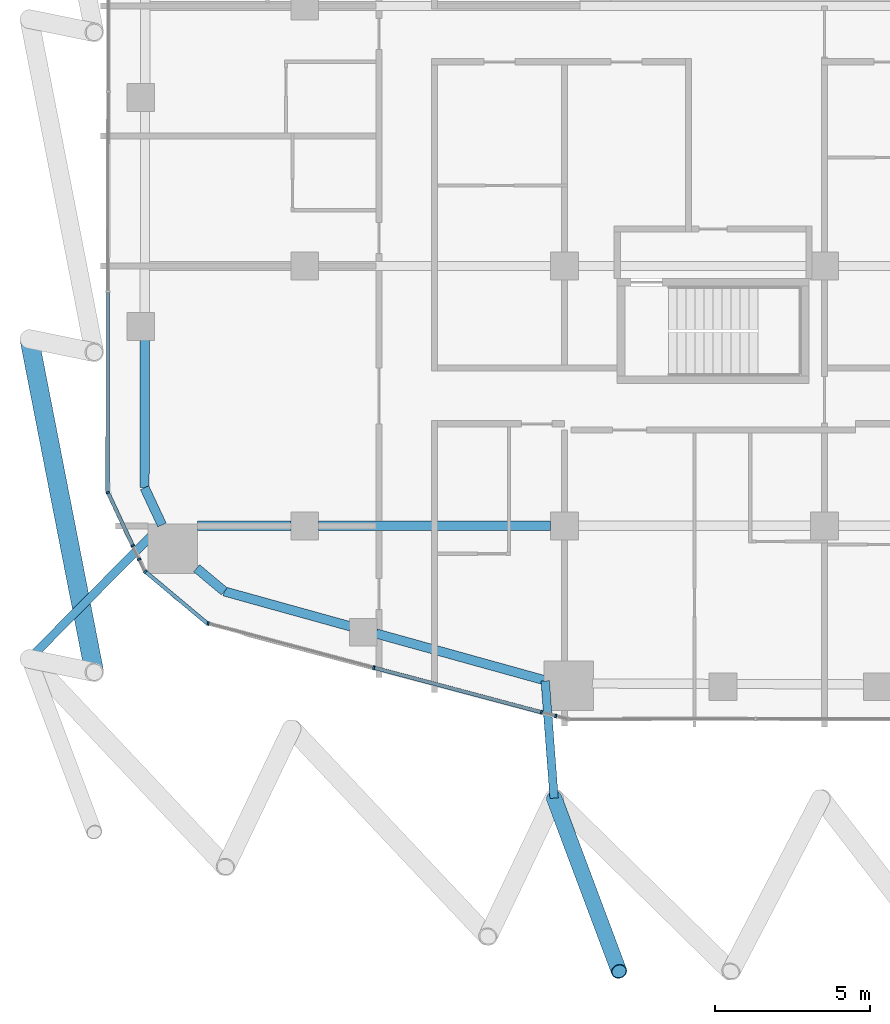
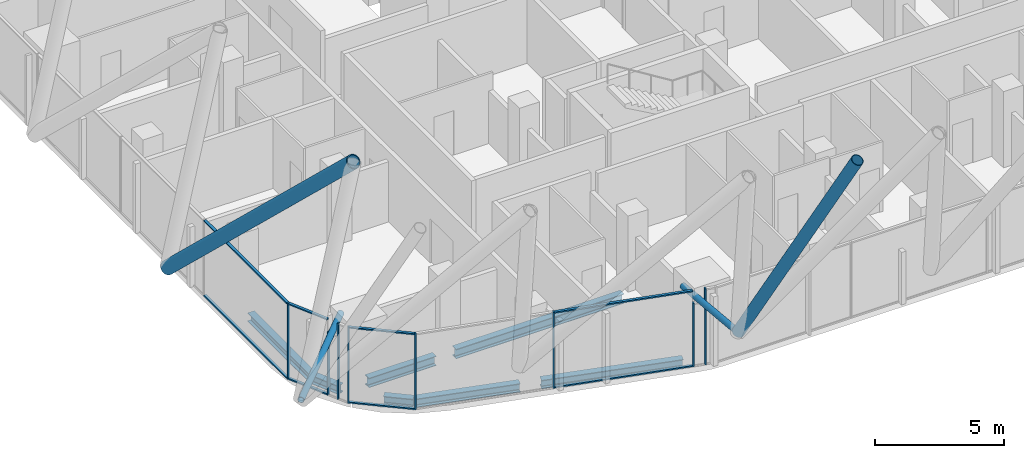
# One storey, part 2 of 34: 20 members, 7 beams, 8 elements without a shape of their own.
"""IFC4 building model written with IfcOpenShell, lengths in metres."""

from ifc_helpers import new_model, si_unit, direction, frame, origin, origin_2d, place, context, subcontext, project, spatial, rectangle, hollow_circle, i_section, extrude, material, layer, layer_set, material_profile, profile_set, type_object, element, aggregate, save


model = new_model("IFC4")

# Units and contexts
model_context = context("Model", 3, precision=1e-05, world=origin(), true_north=direction((0.0, 1.0)))
body_context = subcontext(model_context, "Body", "Model", "MODEL_VIEW")
ifc_project = project(units=[si_unit("LENGTHUNIT", "METRE"), si_unit("AREAUNIT", "SQUARE_METRE"), si_unit("VOLUMEUNIT", "CUBIC_METRE"), si_unit("PLANEANGLEUNIT", "RADIAN"), si_unit("MASSUNIT", "GRAM", prefix="KILO")], contexts=[model_context])

# Site, building, storey
site_placement = place(None, origin())
site = spatial("IfcSite", under=ifc_project, at=site_placement, CompositionType="ELEMENT")
building_placement = place(site_placement, origin())
building = spatial("IfcBuilding", under=site, at=building_placement, Name="Marenta Gate Hotel Tower", CompositionType="ELEMENT")
storey_placement = place(building_placement, frame((0.0, 0.0, 166.10009765625)))
storey = spatial("IfcBuildingStorey", under=building, at=storey_placement, Name="L39", CompositionType="ELEMENT", Elevation=166.10009765625)

# Members
ifc_material_1 = material(Name="Steel S355J2W", Category="steel")
ifc_material_profile_1 = material_profile(ifc_material_1, hollow_circle(Radius=0.25390625, WallThickness=0.02490234375, at=origin_2d()), Name="CHS 508x25")
ifc_profile_set_1 = profile_set([ifc_material_profile_1], Name="Steel S355J2W")
member_type_1 = type_object("IfcMemberType", Name="Diagrid corner post Z2 CHS 508x25", PredefinedType="POST", material=ifc_profile_set_1)
member_1_placement = place(storey_placement, frame((-12.93896484375, -25.60009765625, 3.139892578125), z_axis=(0.170092035922, -0.453598538302, 0.874824019656), x_axis=(0.936334210322, 0.351110020621, 0.0)))
element("IfcMember", 1, at=member_1_placement, inside=storey, type_object=member_type_1, Name="L39-DR-4", PredefinedType="POST", context=body_context, shape_type="SweptSolid", body=[
    extrude(hollow_circle(Radius=0.25390625, WallThickness=0.02490234375, at=origin_2d()), origin(), (0.0, 0.0, 1.0), 12.345458984375),
])
ifc_material_2 = material(Name="Steel S355J2W", Category="steel")
ifc_material_profile_2 = material_profile(ifc_material_2, hollow_circle(Radius=0.304931640625, WallThickness=0.0400390625, at=origin_2d()), Name="CHS 610x40")
ifc_profile_set_2 = profile_set([ifc_material_profile_2], Name="Steel S355J2W")
member_type_2 = type_object("IfcMemberType", Name="Diagrid diagonal T2 CHS 610x40", PredefinedType="BRACE", material=ifc_profile_set_2)
member_2_placement = place(storey_placement, frame((-29.89990234375, -10.760009765625, 3.139892578125), z_axis=(0.136387552473, -0.699523368187, 0.701473800573), x_axis=(0.981518224839, 0.191368686853, 0.0)))
element("IfcMember", 2, at=member_2_placement, inside=storey, type_object=member_type_2, Name="L39-DG-26", PredefinedType="BRACE", context=body_context, shape_type="SweptSolid", body=[
    extrude(hollow_circle(Radius=0.304931640625, WallThickness=0.0400390625, at=origin_2d()), origin(), (0.0, 0.0, 1.0), 15.396240234375),
])

# Beams
ifc_material_3 = material(Name="Steel S355", Category="steel")
ifc_material_profile_3 = material_profile(ifc_material_3, i_section(OverallWidth=0.300048828125, OverallDepth=0.39990234375, WebThickness=0.013427734375, FlangeThickness=0.02392578125, FilletRadius=0.027099609375, at=origin_2d()), Name="HEB 400")
ifc_profile_set_3 = profile_set([ifc_material_profile_3], Name="Steel S355")
beam_type_1 = type_object("IfcBeamType", Name="Edge beam HEB 400", PredefinedType="SPANDREL", material=ifc_profile_set_3)
beam_1_placement = place(storey_placement, frame((-13.227783203125, -21.794677734375, -0.460205078125), z_axis=(-0.963615860477, 0.267290990189, 0.0), x_axis=(-0.267290990189, -0.963615860477, 0.0)))
element("IfcBeam", 3, at=beam_1_placement, inside=storey, type_object=beam_type_1, Name="L39-EB-1", PredefinedType="SPANDREL", context=body_context, shape_type="SweptSolid", body=[
    extrude(i_section(OverallWidth=0.300048828125, OverallDepth=0.39990234375, WebThickness=0.013427734375, FlangeThickness=0.02392578125, FilletRadius=0.027099609375, at=origin_2d()), origin(), (0.0, 0.0, 1.0), 5.674072265625),
])
beam_2_placement = place(storey_placement, frame((-19.518310546875, -20.0498046875, -0.460205078125), z_axis=(-0.963630213062, 0.267239242016, 0.0), x_axis=(-0.267239242016, -0.963630213062, 0.0)))
element("IfcBeam", 4, at=beam_2_placement, inside=storey, type_object=beam_type_1, Name="L39-EB-2", PredefinedType="SPANDREL", context=body_context, shape_type="SweptSolid", body=[
    extrude(i_section(OverallWidth=0.300048828125, OverallDepth=0.39990234375, WebThickness=0.013427734375, FlangeThickness=0.02392578125, FilletRadius=0.027099609375, at=origin_2d()), origin(), (0.0, 0.0, 1.0), 4.232666015625),
])
beam_3_placement = place(storey_placement, frame((-23.596923828125, -18.918701171875, -0.460205078125), z_axis=(-0.767073132856, 0.641559668972, 0.0), x_axis=(-0.641559668972, -0.767073132856, 0.0)))
element("IfcBeam", 5, at=beam_3_placement, inside=storey, type_object=beam_type_1, Name="L39-EB-3", PredefinedType="SPANDREL", context=body_context, shape_type="SweptSolid", body=[
    extrude(i_section(OverallWidth=0.300048828125, OverallDepth=0.39990234375, WebThickness=0.013427734375, FlangeThickness=0.02392578125, FilletRadius=0.027099609375, at=origin_2d()), origin(), (0.0, 0.0, 1.0), 1.1689453125),
])
beam_4_placement = place(storey_placement, frame((-25.613525390625, -16.769287109375, -0.460205078125), z_axis=(-0.423207780269, 0.906032656541, 0.0), x_axis=(-0.906032656541, -0.423207780269, 0.0)))
element("IfcBeam", 6, at=beam_4_placement, inside=storey, type_object=beam_type_1, Name="L39-EB-4", PredefinedType="SPANDREL", context=body_context, shape_type="SweptSolid", body=[
    extrude(i_section(OverallWidth=0.300048828125, OverallDepth=0.39990234375, WebThickness=0.013427734375, FlangeThickness=0.02392578125, FilletRadius=0.027099609375, at=origin_2d()), origin(), (0.0, 0.0, 1.0), 1.326904296875),
])
beam_5_placement = place(storey_placement, frame((-26.175048828125, -15.567138671875, -0.460205078125), z_axis=(0.001371810517, 0.999999059068, 0.0), x_axis=(-0.999999059068, 0.001371810517, 0.0)))
element("IfcBeam", 7, at=beam_5_placement, inside=storey, type_object=beam_type_1, Name="L39-EB-5", PredefinedType="SPANDREL", context=body_context, shape_type="SweptSolid", body=[
    extrude(i_section(OverallWidth=0.300048828125, OverallDepth=0.39990234375, WebThickness=0.013427734375, FlangeThickness=0.02392578125, FilletRadius=0.027099609375, at=origin_2d()), origin(), (0.0, 0.0, 1.0), 4.80517578125),
])

# Members
ifc_material_4 = material(Name="Steel S355J2W", Category="steel")
ifc_material_profile_4 = material_profile(ifc_material_4, hollow_circle(Radius=0.136474609375, WallThickness=0.012451171875, at=origin_2d()), Name="CHS 273x12.5")
ifc_profile_set_4 = profile_set([ifc_material_profile_4], Name="Steel S355J2W")
member_type_3 = type_object("IfcMemberType", Name="Floor tie CHS 273x12.5", PredefinedType="STRUT", material=ifc_profile_set_4)
member_3_placement = place(storey_placement, frame((-12.93896484375, -25.60009765625, 3.139892578125), z_axis=(-0.075674665464, 0.997132561401, 0.0), x_axis=(-0.997132561401, -0.075674665464, 0.0)))
element("IfcMember", 8, at=member_3_placement, inside=storey, type_object=member_type_3, Name="L39-DR-10", PredefinedType="STRUT", context=body_context, shape_type="SweptSolid", body=[
    extrude(hollow_circle(Radius=0.136474609375, WallThickness=0.012451171875, at=origin_2d()), origin(), (0.0, 0.0, 1.0), 3.800537109375),
])
member_4_placement = place(storey_placement, frame((-29.89990234375, -21.10009765625, 3.139892578125), z_axis=(0.703441732565, 0.710752930973, 0.0), x_axis=(-0.710752930973, 0.703441732565, 0.0)))
element("IfcMember", 9, at=member_4_placement, inside=storey, type_object=member_type_3, Name="L39-DR-11", PredefinedType="STRUT", context=body_context, shape_type="SweptSolid", body=[
    extrude(hollow_circle(Radius=0.136474609375, WallThickness=0.012451171875, at=origin_2d()), origin(), (0.0, 0.0, 1.0), 6.077392578125),
])

# Beams
ifc_material_5 = material(Name="Steel S355", Category="steel")
ifc_material_profile_5 = material_profile(ifc_material_5, i_section(OverallWidth=0.300048828125, OverallDepth=0.449951171875, WebThickness=0.013916015625, FlangeThickness=0.02587890625, FilletRadius=0.027099609375, at=origin_2d()), Name="HEB 450")
ifc_profile_set_5 = profile_set([ifc_material_profile_5], Name="Steel S355")
beam_type_2 = type_object("IfcBeamType", Name="Girder HEB 450", PredefinedType="BEAM", material=ifc_profile_set_5)
beam_6_placement = place(storey_placement, frame((-24.462890625, -16.800048828125, -0.485107421875), z_axis=(1.0, 0.0, 0.0), x_axis=(0.0, 1.0, 0.0)))
element("IfcBeam", 10, at=beam_6_placement, inside=storey, type_object=beam_type_2, Name="L39-GD-1", PredefinedType="BEAM", context=body_context, shape_type="SweptSolid", body=[
    extrude(i_section(OverallWidth=0.300048828125, OverallDepth=0.449951171875, WebThickness=0.013916015625, FlangeThickness=0.02587890625, FilletRadius=0.027099609375, at=origin_2d()), origin(), (0.0, 0.0, 1.0), 3.012939453125),
])
beam_7_placement = place(storey_placement, frame((-20.550048828125, -16.800048828125, -0.485107421875), z_axis=(1.0, 0.0, 0.0), x_axis=(0.0, 1.0, 0.0)))
element("IfcBeam", 11, at=beam_7_placement, inside=storey, type_object=beam_type_2, Name="L39-GD-2", PredefinedType="BEAM", context=body_context, shape_type="SweptSolid", body=[
    extrude(i_section(OverallWidth=0.300048828125, OverallDepth=0.449951171875, WebThickness=0.013916015625, FlangeThickness=0.02587890625, FilletRadius=0.027099609375, at=origin_2d()), origin(), (0.0, 0.0, 1.0), 7.5),
])

# Curtain wall, member
ifc_material_6 = material(Name="Tinted insulated glass in bronze anodised frame", Category="glass")
ifc_layer = layer(ifc_material_6, 0.1201171875)
ifc_layer_set = layer_set([ifc_layer], Name="Tinted insulated glass in bronze anodised frame")
curtain_wall_type = type_object("IfcCurtainWallType", Name="Tower unitised curtain wall CW1", PredefinedType="NOTDEFINED", material=ifc_layer_set)
curtain_wall_1_placement = place(storey_placement, origin())
curtain_wall_1 = element("IfcCurtainWall", 12, at=curtain_wall_1_placement, inside=storey, type_object=curtain_wall_type, Name="CW1 run G05", PredefinedType="NOTDEFINED")
ifc_material_7 = material(Name="Bronze anodised aluminium", Category="aluminium")
ifc_material_profile_6 = material_profile(ifc_material_7, rectangle(XDim=0.1201171875, YDim=0.06005859375, at=origin_2d()), Name="Mullion CW1 60x120 bronze anodised aluminium")
ifc_profile_set_6 = profile_set([ifc_material_profile_6], Name="Bronze anodised aluminium")
member_type_4 = type_object("IfcMemberType", Name="Mullion CW1 60x120 bronze anodised aluminium", PredefinedType="MULLION", material=ifc_profile_set_6)
member_5_placement = place(storey_placement, frame((-27.3603515625, -15.720947265625, 0.0), z_axis=(0.0, 0.0, 1.0), x_axis=(0.90596765607, 0.423346909938, 0.0)))
member_5 = element("IfcMember", 13, at=member_5_placement, type_object=member_type_4, Name="CW1 mullion 1", PredefinedType="MULLION", context=body_context, shape_type="SweptSolid", body=[
    extrude(rectangle(XDim=0.1201171875, YDim=0.06005859375, at=origin_2d()), origin(), (0.0, 0.0, 1.0), 3.599853515625),
])

curtain_wall_2_placement = place(storey_placement, origin())
curtain_wall_2 = element("IfcCurtainWall", 14, at=curtain_wall_2_placement, inside=storey, type_object=curtain_wall_type, Name="CW1 run G06", PredefinedType="NOTDEFINED")
member_6_placement = place(storey_placement, frame((-26.556884765625, -17.4404296875, 0.0), z_axis=(0.0, 0.0, 1.0), x_axis=(0.905960772222, 0.423361641148, 0.0)))
member_6 = element("IfcMember", 15, at=member_6_placement, type_object=member_type_4, Name="CW1 mullion 1", PredefinedType="MULLION", context=body_context, shape_type="SweptSolid", body=[
    extrude(rectangle(XDim=0.1201171875, YDim=0.06005859375, at=origin_2d()), origin(), (0.0, 0.0, 1.0), 3.00048828125),
])
aggregate(curtain_wall_2, [member_6])

curtain_wall_3_placement = place(storey_placement, origin())
curtain_wall_3 = element("IfcCurtainWall", 16, at=curtain_wall_3_placement, inside=storey, type_object=curtain_wall_type, Name="CW1 run G07", PredefinedType="NOTDEFINED")
member_7_placement = place(storey_placement, frame((-26.352294921875, -17.8779296875, 0.0), z_axis=(0.0, 0.0, 1.0), x_axis=(0.906001027936, 0.42327548639, 0.0)))
member_7 = element("IfcMember", 17, at=member_7_placement, type_object=member_type_4, Name="CW1 mullion 1", PredefinedType="MULLION", context=body_context, shape_type="SweptSolid", body=[
    extrude(rectangle(XDim=0.1201171875, YDim=0.06005859375, at=origin_2d()), origin(), (0.0, 0.0, 1.0), 3.599853515625),
])
aggregate(curtain_wall_3, [member_7])

curtain_wall_4_placement = place(storey_placement, origin())
curtain_wall_4 = element("IfcCurtainWall", 18, at=curtain_wall_4_placement, inside=storey, type_object=curtain_wall_type, Name="CW1 run G08", PredefinedType="NOTDEFINED")
member_8_placement = place(storey_placement, frame((-26.152099609375, -18.27685546875, 0.0), z_axis=(0.0, 0.0, 1.0), x_axis=(0.641512168126, 0.767112858807, 0.0)))
member_8 = element("IfcMember", 19, at=member_8_placement, type_object=member_type_4, Name="CW1 mullion 1", PredefinedType="MULLION", context=body_context, shape_type="SweptSolid", body=[
    extrude(rectangle(XDim=0.1201171875, YDim=0.06005859375, at=origin_2d()), origin(), (0.0, 0.0, 1.0), 3.599853515625),
])

# Curtain wall, members
curtain_wall_5_placement = place(storey_placement, origin())
curtain_wall_5 = element("IfcCurtainWall", 20, at=curtain_wall_5_placement, inside=storey, type_object=curtain_wall_type, Name="CW1 run G09", PredefinedType="NOTDEFINED")
member_9_placement = place(storey_placement, frame((-24.12451171875, -19.955810546875, 0.0), z_axis=(0.0, 0.0, 1.0), x_axis=(0.257143521209, 0.966373224743, 0.0)))
member_9 = element("IfcMember", 21, at=member_9_placement, type_object=member_type_4, Name="CW1 mullion 1", PredefinedType="MULLION", context=body_context, shape_type="SweptSolid", body=[
    extrude(rectangle(XDim=0.1201171875, YDim=0.06005859375, at=origin_2d()), origin(), (0.0, 0.0, 1.0), 3.599853515625),
])
member_10_placement = place(storey_placement, frame((-18.765380859375, -21.3818359375, 0.0), z_axis=(0.0, 0.0, 1.0), x_axis=(0.257143521209, 0.966373224743, 0.0)))
member_10 = element("IfcMember", 22, at=member_10_placement, type_object=member_type_4, Name="CW1 mullion 2", PredefinedType="MULLION", context=body_context, shape_type="SweptSolid", body=[
    extrude(rectangle(XDim=0.1201171875, YDim=0.06005859375, at=origin_2d()), origin(), (0.0, 0.0, 1.0), 3.599853515625),
])

# Curtain wall, member
curtain_wall_6_placement = place(storey_placement, origin())
curtain_wall_6 = element("IfcCurtainWall", 23, at=curtain_wall_6_placement, inside=storey, type_object=curtain_wall_type, Name="CW1 run G10", PredefinedType="NOTDEFINED")
member_11_placement = place(storey_placement, frame((-13.348388671875, -22.8232421875, 0.0), z_axis=(0.0, 0.0, 1.0), x_axis=(0.257169712889, 0.966366254985, 0.0)))
member_11 = element("IfcMember", 24, at=member_11_placement, type_object=member_type_4, Name="CW1 mullion 1", PredefinedType="MULLION", context=body_context, shape_type="SweptSolid", body=[
    extrude(rectangle(XDim=0.1201171875, YDim=0.06005859375, at=origin_2d()), origin(), (0.0, 0.0, 1.0), 3.00048828125),
])
aggregate(curtain_wall_6, [member_11])

curtain_wall_7_placement = place(storey_placement, origin())
curtain_wall_7 = element("IfcCurtainWall", 25, at=curtain_wall_7_placement, inside=storey, type_object=curtain_wall_type, Name="CW1 run G11", PredefinedType="NOTDEFINED")
member_12_placement = place(storey_placement, frame((-12.884765625, -22.94677734375, 0.0), z_axis=(0.0, 0.0, 1.0), x_axis=(0.25711688076, 0.966380313142, 0.0)))
member_12 = element("IfcMember", 26, at=member_12_placement, type_object=member_type_4, Name="CW1 mullion 1", PredefinedType="MULLION", context=body_context, shape_type="SweptSolid", body=[
    extrude(rectangle(XDim=0.1201171875, YDim=0.06005859375, at=origin_2d()), origin(), (0.0, 0.0, 1.0), 3.599853515625),
])
aggregate(curtain_wall_7, [member_12])

# Curtain wall, members
curtain_wall_8_placement = place(storey_placement, origin())
curtain_wall_8 = element("IfcCurtainWall", 27, at=curtain_wall_8_placement, inside=storey, type_object=curtain_wall_type, Name="CW1 run G04", PredefinedType="NOTDEFINED")
ifc_material_8 = material(Name="Bronze anodised aluminium", Category="aluminium")
ifc_material_profile_7 = material_profile(ifc_material_8, rectangle(XDim=0.1201171875, YDim=0.06005859375, at=origin_2d()), Name="Transom CW1 60x120 bronze anodised aluminium")
ifc_profile_set_7 = profile_set([ifc_material_profile_7], Name="Bronze anodised aluminium")
member_type_5 = type_object("IfcMemberType", Name="Transom CW1 60x120 bronze anodised aluminium", PredefinedType="USERDEFINED", material=ifc_profile_set_7)
member_13_placement = place(storey_placement, frame((-27.363037109375, -9.263916015625, 0.02978515625), z_axis=(-0.001556743377, -0.999998788274, 0.0), x_axis=(0.999998788274, -0.001556743377, 0.0)))
member_13 = element("IfcMember", 28, at=member_13_placement, type_object=member_type_5, Name="CW1 transom 6.1", ObjectType="TRANSOM", PredefinedType="USERDEFINED", context=body_context, shape_type="SweptSolid", body=[
    extrude(rectangle(XDim=0.1201171875, YDim=0.06005859375, at=origin_2d()), origin(), (0.0, 0.0, 1.0), 6.429931640625),
])
member_14_placement = place(storey_placement, frame((-27.363037109375, -9.263916015625, 3.56982421875), z_axis=(-0.001556743377, -0.999998788274, 0.0), x_axis=(0.999998788274, -0.001556743377, 0.0)))
member_14 = element("IfcMember", 29, at=member_14_placement, type_object=member_type_5, Name="CW1 transom 6.2", ObjectType="TRANSOM", PredefinedType="USERDEFINED", context=body_context, shape_type="SweptSolid", body=[
    extrude(rectangle(XDim=0.1201171875, YDim=0.06005859375, at=origin_2d()), origin(), (0.0, 0.0, 1.0), 6.429931640625),
])
aggregate(curtain_wall_8, [member_13, member_14])

# Member
member_15_placement = place(storey_placement, frame((-27.34765625, -15.748046875, 0.02978515625), z_axis=(0.423307157051, -0.905986231015, 0.0), x_axis=(0.905986231015, 0.423307157051, 0.0)))
member_15 = element("IfcMember", 30, at=member_15_placement, type_object=member_type_5, Name="CW1 transom 1.1", ObjectType="TRANSOM", PredefinedType="USERDEFINED", context=body_context, shape_type="SweptSolid", body=[
    extrude(rectangle(XDim=0.1201171875, YDim=0.06005859375, at=origin_2d()), origin(), (0.0, 0.0, 1.0), 1.838134765625),
])

member_16_placement = place(storey_placement, frame((-27.34765625, -15.748046875, 3.56982421875), z_axis=(0.423307157051, -0.905986231015, 0.0), x_axis=(0.905986231015, 0.423307157051, 0.0)))
member_16 = element("IfcMember", 31, at=member_16_placement, type_object=member_type_5, Name="CW1 transom 1.2", ObjectType="TRANSOM", PredefinedType="USERDEFINED", context=body_context, shape_type="SweptSolid", body=[
    extrude(rectangle(XDim=0.1201171875, YDim=0.06005859375, at=origin_2d()), origin(), (0.0, 0.0, 1.0), 1.838134765625),
])

aggregate(curtain_wall_1, [member_5, member_15, member_16])

member_17_placement = place(storey_placement, frame((-26.12890625, -18.296142578125, 0.02978515625), z_axis=(0.767116735682, -0.641507532175, 0.0), x_axis=(0.641507532175, 0.767116735682, 0.0)))
member_17 = element("IfcMember", 32, at=member_17_placement, type_object=member_type_5, Name="CW1 transom 1.1", ObjectType="TRANSOM", PredefinedType="USERDEFINED", context=body_context, shape_type="SweptSolid", body=[
    extrude(rectangle(XDim=0.1201171875, YDim=0.06005859375, at=origin_2d()), origin(), (0.0, 0.0, 1.0), 2.575439453125),
])

member_18_placement = place(storey_placement, frame((-26.12890625, -18.296142578125, 3.56982421875), z_axis=(0.767116735682, -0.641507532175, 0.0), x_axis=(0.641507532175, 0.767116735682, 0.0)))
member_18 = element("IfcMember", 33, at=member_18_placement, type_object=member_type_5, Name="CW1 transom 1.2", ObjectType="TRANSOM", PredefinedType="USERDEFINED", context=body_context, shape_type="SweptSolid", body=[
    extrude(rectangle(XDim=0.1201171875, YDim=0.06005859375, at=origin_2d()), origin(), (0.0, 0.0, 1.0), 2.575439453125),
])

aggregate(curtain_wall_4, [member_8, member_17, member_18])

member_19_placement = place(storey_placement, frame((-18.736328125, -21.3896484375, 0.02978515625), z_axis=(0.966369990087, -0.257155677089, 0.0), x_axis=(0.257155677089, 0.966369990087, 0.0)))
member_19 = element("IfcMember", 34, at=member_19_placement, type_object=member_type_5, Name="CW1 transom 2.1", ObjectType="TRANSOM", PredefinedType="USERDEFINED", context=body_context, shape_type="SweptSolid", body=[
    extrude(rectangle(XDim=0.1201171875, YDim=0.06005859375, at=origin_2d()), origin(), (0.0, 0.0, 1.0), 5.54541015625),
])

member_20_placement = place(storey_placement, frame((-18.736328125, -21.3896484375, 3.56982421875), z_axis=(0.966369990087, -0.257155677089, 0.0), x_axis=(0.257155677089, 0.966369990087, 0.0)))
member_20 = element("IfcMember", 35, at=member_20_placement, type_object=member_type_5, Name="CW1 transom 2.2", ObjectType="TRANSOM", PredefinedType="USERDEFINED", context=body_context, shape_type="SweptSolid", body=[
    extrude(rectangle(XDim=0.1201171875, YDim=0.06005859375, at=origin_2d()), origin(), (0.0, 0.0, 1.0), 5.54541015625),
])

aggregate(curtain_wall_5, [member_9, member_10, member_19, member_20])

save(model, "model.ifc")
